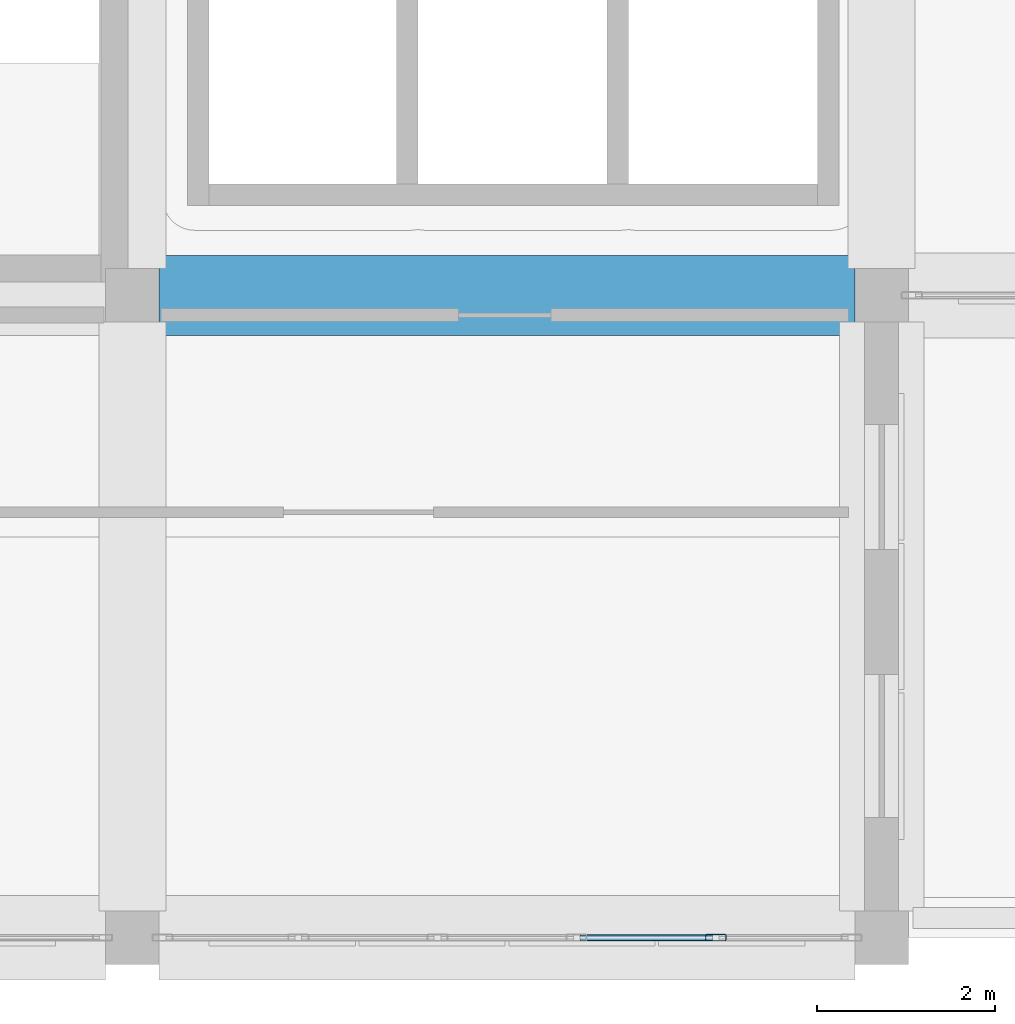
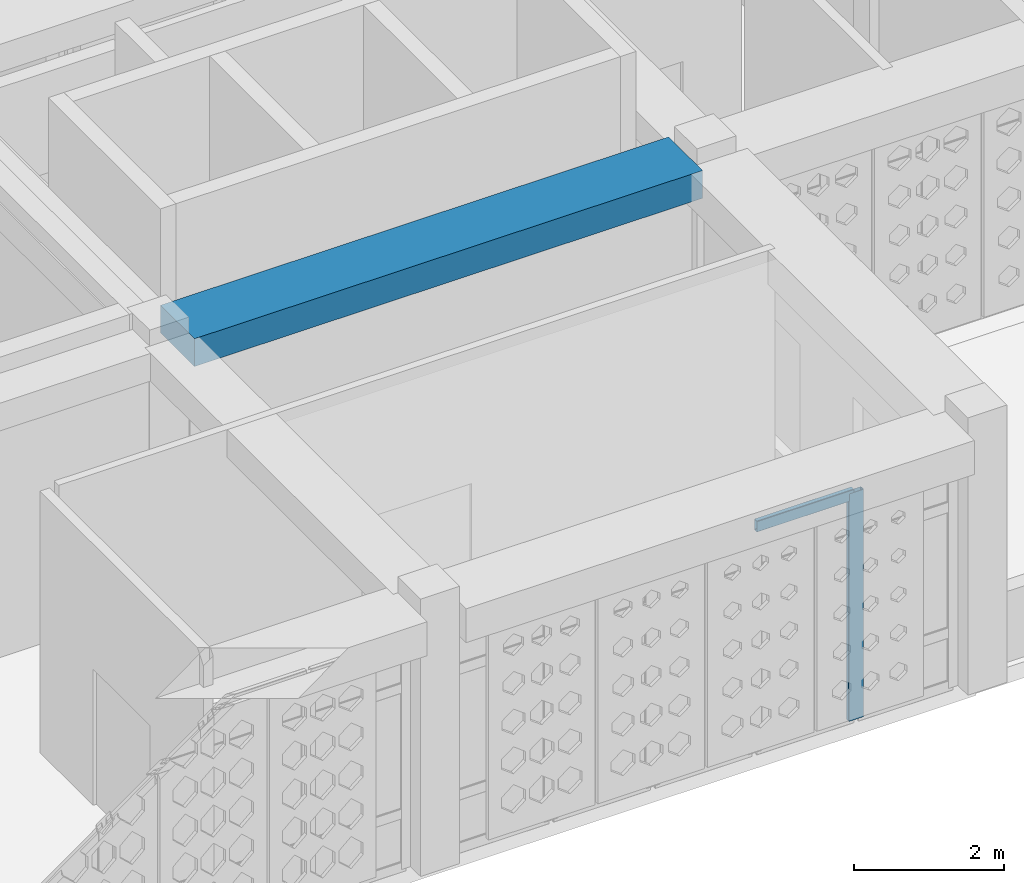
# One storey, part 4 of 28: 2 members, 1 beam, 1 element without a shape of its own.
"""IFC4 building model written with IfcOpenShell, lengths in metres."""

from ifc_helpers import new_model, si_unit, derived_unit, direction, frame, origin, origin_2d, place, context, subcontext, project, spatial, rectangle, hollow_rectangle, extrude, material, material_profile, profile_set, type_object, element, aggregate, save


model = new_model("IFC4")

# Units and contexts
model_context = context("Model", 3, precision=1e-05, world=origin(), true_north=direction((0.0, 1.0)))
body_context = subcontext(model_context, "Body", "Model", "MODEL_VIEW")
ifc_project = project(units=[si_unit("LENGTHUNIT", "METRE"), si_unit("AREAUNIT", "SQUARE_METRE"), si_unit("VOLUMEUNIT", "CUBIC_METRE"), si_unit("PLANEANGLEUNIT", "RADIAN"), si_unit("MASSUNIT", "GRAM", prefix="KILO"), derived_unit("THERMALTRANSMITTANCEUNIT", [(si_unit("POWERUNIT", "WATT"), 1), (si_unit("LENGTHUNIT", "METRE"), -2), (si_unit("THERMODYNAMICTEMPERATUREUNIT", "KELVIN"), -1)])], contexts=[model_context])

# Site, building, storey
site_placement = place(None, origin())
site = spatial("IfcSite", under=ifc_project, at=site_placement, CompositionType="ELEMENT")
building_placement = place(site_placement, origin())
building = spatial("IfcBuilding", under=site, at=building_placement, Name="Veybourne Emporium", CompositionType="ELEMENT")
storey_placement = place(building_placement, frame((0.0, 0.0, 32.10009765625)))
storey = spatial("IfcBuildingStorey", under=building, at=storey_placement, Name="L07", CompositionType="ELEMENT", Elevation=32.10009765625)

# Curtain wall, members
ifc_material_1 = material(Name="Patinated Architectural Bronze", Category="bronze")
curtain_wall_type = type_object("IfcCurtainWallType", Name="CWSystem_CWS-22", PredefinedType="NOTDEFINED", material=ifc_material_1)
curtain_wall_placement = place(storey_placement, origin())
curtain_wall = element("IfcCurtainWall", 1, at=curtain_wall_placement, inside=storey, type_object=curtain_wall_type, Name="L07 bronze glazed curtain wall CWS-22 (011)", PredefinedType="NOTDEFINED")
ifc_material_profile_1 = material_profile(ifc_material_1, hollow_rectangle(XDim=0.074951171875, YDim=0.22998046875, WallThickness=0.0048828125, InnerFilletRadius=0.007568359375, OuterFilletRadius=0.012451171875, at=origin_2d()), Name="CWM 75x230x5")
ifc_profile_set_1 = profile_set([ifc_material_profile_1], Name="Patinated Architectural Bronze")
member_type_1 = type_object("IfcMemberType", Name="CWMullion_CW-M2", PredefinedType="MULLION", material=ifc_profile_set_1)
member_1_placement = place(storey_placement, frame((31.739990234375, 7.199951171875, 0.0), z_axis=(0.0, 0.0, 1.0), x_axis=(0.0, -1.0, 0.0)))
member_1 = element("IfcMember", 2, at=member_1_placement, type_object=member_type_1, Name="CWS-22 mullion 2", PredefinedType="MULLION", context=body_context, shape_type="SweptSolid", body=[
    extrude(hollow_rectangle(XDim=0.074951171875, YDim=0.22998046875, WallThickness=0.0048828125, InnerFilletRadius=0.007568359375, OuterFilletRadius=0.012451171875, at=origin_2d()), origin(), (0.0, 0.0, 1.0), 3.68994140625),
])
ifc_material_profile_2 = material_profile(ifc_material_1, hollow_rectangle(XDim=0.074951171875, YDim=0.179931640625, WallThickness=0.0048828125, InnerFilletRadius=0.007568359375, OuterFilletRadius=0.012451171875, at=origin_2d()), Name="CWT 75x180x5")
ifc_profile_set_2 = profile_set([ifc_material_profile_2], Name="Patinated Architectural Bronze")
member_type_2 = type_object("IfcMemberType", Name="CWTransom_CW-T2", PredefinedType="NOTDEFINED", material=ifc_profile_set_2)
member_2_placement = place(storey_placement, frame((31.702392578125, 7.199951171875, 3.65234375), z_axis=(-1.0, 0.0, 0.0), x_axis=(0.0, -1.0, 0.0)))
member_2 = element("IfcMember", 3, at=member_2_placement, type_object=member_type_2, Name="CWS-22 transom 2.4", ObjectType="TRANSOM", PredefinedType="USERDEFINED", context=body_context, shape_type="SweptSolid", body=[
    extrude(hollow_rectangle(XDim=0.074951171875, YDim=0.179931640625, WallThickness=0.0048828125, InnerFilletRadius=0.007568359375, OuterFilletRadius=0.012451171875, at=origin_2d()), origin(), (0.0, 0.0, 1.0), 1.48486328125),
])
aggregate(curtain_wall, [member_1, member_2])

# Beam
ifc_material_2 = material(Name="Concrete C32/40", Category="concrete")
ifc_material_profile_3 = material_profile(ifc_material_2, rectangle(XDim=0.89990234375, YDim=0.449951171875, at=origin_2d()), Name="RC 900x450")
ifc_profile_set_3 = profile_set([ifc_material_profile_3], Name="Concrete C32/40")
beam_type = type_object("IfcBeamType", Name="RCBeam_BB-03", PredefinedType="BEAM", material=ifc_profile_set_3)
beam_placement = place(storey_placement, frame((25.5, 14.39990234375, 4.014892578125), z_axis=(1.0, 0.0, 0.0), x_axis=(0.0, 1.0, 0.0)))
element("IfcBeam", 4, at=beam_placement, inside=storey, type_object=beam_type, Name="L07 X-grid beam BB-03 (3,2)", PredefinedType="BEAM", context=body_context, shape_type="SweptSolid", body=[
    extrude(rectangle(XDim=0.89990234375, YDim=0.449951171875, at=origin_2d()), origin(), (0.0, 0.0, 1.0), 7.800048828125),
])

save(model, "model.ifc")
